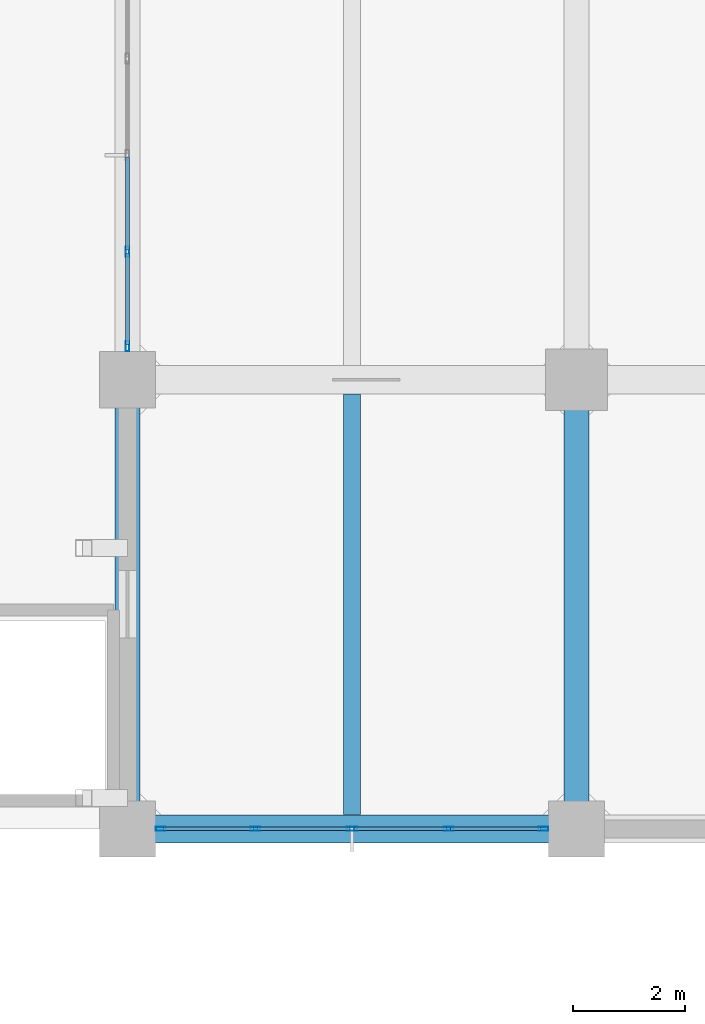
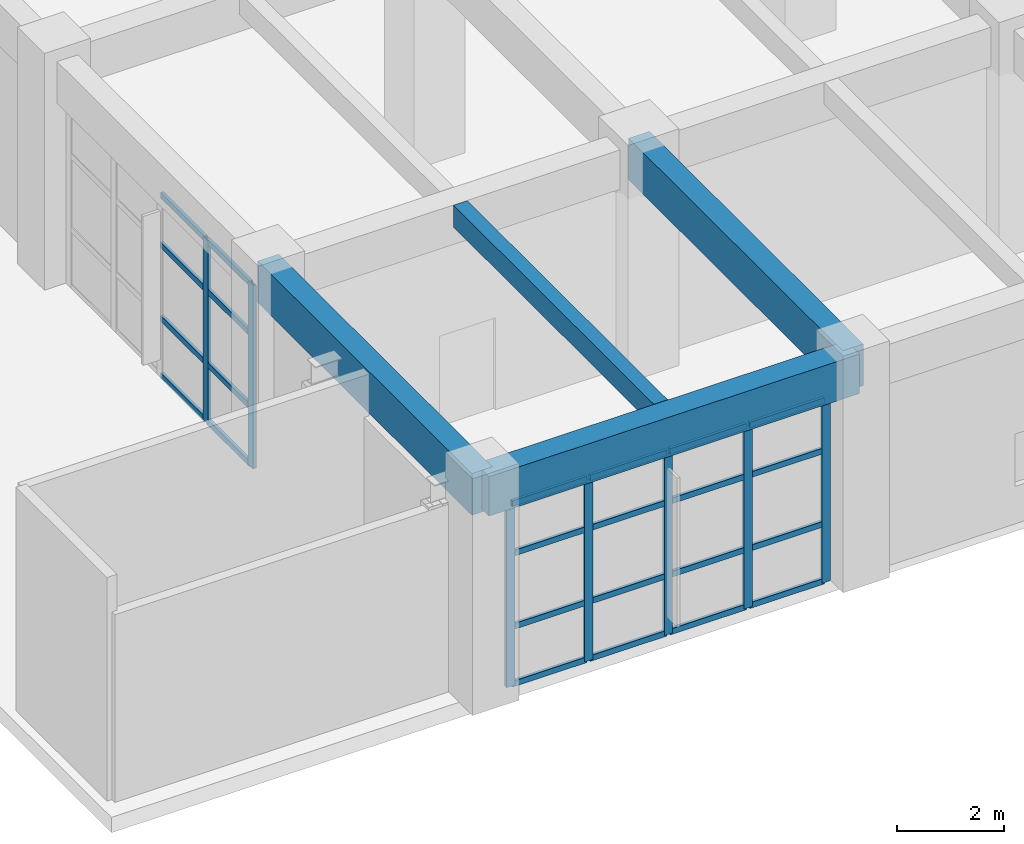
# One storey, part 37 of 90: 31 members, 4 beams, 2 elements without a shape of their own.
"""IFC4 building model written with IfcOpenShell, lengths in metres."""

from ifc_helpers import new_model, si_unit, direction, frame, origin, origin_2d, place, context, subcontext, project, spatial, rectangle, hollow_rectangle, extrude, material, layer, layer_set, material_profile, profile_set, type_object, element, aggregate, save


model = new_model("IFC4")

# Units and contexts
model_context = context("Model", 3, precision=1e-05, world=origin(), true_north=direction((0.0, 1.0)))
body_context = subcontext(model_context, "Body", "Model", "MODEL_VIEW")
ifc_project = project(units=[si_unit("LENGTHUNIT", "METRE"), si_unit("AREAUNIT", "SQUARE_METRE"), si_unit("VOLUMEUNIT", "CUBIC_METRE"), si_unit("PLANEANGLEUNIT", "RADIAN"), si_unit("MASSUNIT", "GRAM", prefix="KILO")], contexts=[model_context])

# Site, building, storey
site_placement = place(None, origin())
site = spatial("IfcSite", under=ifc_project, at=site_placement, CompositionType="ELEMENT")
building_placement = place(site_placement, origin())
building = spatial("IfcBuilding", under=site, at=building_placement, Name="Canggui Botanical Conservatory", CompositionType="ELEMENT")
storey_placement = place(building_placement, origin())
storey = spatial("IfcBuildingStorey", under=building, at=storey_placement, Name="L01", CompositionType="ELEMENT", Elevation=0.0)

# Beams
ifc_material_1 = material(Name="Concrete C35", Category="concrete")
ifc_material_profile_1 = material_profile(ifc_material_1, rectangle(XDim=0.300048828125, YDim=0.5, at=origin_2d()), Name="RB 300x500")
ifc_profile_set_1 = profile_set([ifc_material_profile_1], Name="Concrete C35")
beam_type_1 = type_object("IfcBeamType", Name="BM-JST02", PredefinedType="JOIST", material=ifc_profile_set_1)
beam_1_placement = place(storey_placement, frame((134.0, 26.2548828125, 4.8701171875), z_axis=(0.0, 1.0, 0.0), x_axis=(-1.0, 0.0, 0.0)))
element("IfcBeam", 1, at=beam_1_placement, inside=storey, type_object=beam_type_1, Name="Secondary Floor Joist L01-1-1", PredefinedType="JOIST", context=body_context, shape_type="SweptSolid", body=[
    extrude(rectangle(XDim=0.300048828125, YDim=0.5, at=origin_2d()), origin(), (0.0, 0.0, 1.0), 7.490234375),
])
ifc_material_profile_2 = material_profile(ifc_material_1, rectangle(XDim=0.5, YDim=0.89990234375, at=origin_2d()), Name="RB 500x900")
ifc_profile_set_2 = profile_set([ifc_material_profile_2], Name="Concrete C35")
beam_type_2 = type_object("IfcBeamType", Name="BM-KL03", PredefinedType="BEAM", material=ifc_profile_set_2)
beam_2_placement = place(storey_placement, frame((130.0, 26.0, 4.669921875), z_axis=(1.0, 0.0, 0.0), x_axis=(0.0, 1.0, 0.0)))
element("IfcBeam", 2, at=beam_2_placement, inside=storey, type_object=beam_type_2, Name="Frame Girder L01 Y26-1", PredefinedType="BEAM", context=body_context, shape_type="SweptSolid", body=[
    extrude(rectangle(XDim=0.5, YDim=0.89990234375, at=origin_2d()), origin(), (0.0, 0.0, 1.0), 8.0),
])
ifc_material_profile_3 = material_profile(ifc_material_1, rectangle(XDim=0.449951171875, YDim=0.949951171875, at=origin_2d()), Name="RB 450x950")
ifc_profile_set_3 = profile_set([ifc_material_profile_3], Name="Concrete C35")
beam_type_3 = type_object("IfcBeamType", Name="BM-KL04", PredefinedType="BEAM", material=ifc_profile_set_3)
for number, where, z_axis, x_axis, name in (
    (3, (130.0, 26.0, 4.64501953125), (0.0, 1.0, 0.0), (-1.0, 0.0, 0.0), "Frame Girder L01 X130-1"),
    (4, (138.0, 26.0, 4.64501953125), (0.0, 1.0, 0.0), (-1.0, 0.0, 0.0), "Frame Girder L01 X138-1"),
):
    element("IfcBeam", number, at=place(storey_placement, frame(where, z_axis=z_axis, x_axis=x_axis)), inside=storey, type_object=beam_type_3, Name=name, PredefinedType="BEAM", context=body_context, shape_type="SweptSolid", body=[
        extrude(rectangle(XDim=0.449951171875, YDim=0.949951171875, at=origin_2d()), origin(), (0.0, 0.0, 1.0), 8.0),
    ])

# Curtain wall, members
ifc_material_2 = material(Name="Thermally Broken Aluminium", Category="aluminium")
ifc_layer = layer(ifc_material_2, 0.179931640625, Name="Thermally Broken Aluminium", Category="aluminium")
ifc_layer_set = layer_set([ifc_layer], Name="Thermally Broken Aluminium")
curtain_wall_type = type_object("IfcCurtainWallType", Name="CW-UNIT-A", PredefinedType="USERDEFINED", material=ifc_layer_set)
curtain_wall_1_placement = place(storey_placement, origin())
curtain_wall_1 = element("IfcCurtainWall", 5, at=curtain_wall_1_placement, inside=storey, type_object=curtain_wall_type, Name="Facade Curtain Wall CW-TWR-L01-03", ObjectType="UNITISED CURTAIN WALL", PredefinedType="USERDEFINED")
ifc_material_profile_4 = material_profile(ifc_material_2, hollow_rectangle(XDim=0.070068359375, YDim=0.179931640625, WallThickness=0.00390625, at=origin_2d()), Name="CWM 70x180x4")
ifc_profile_set_4 = profile_set([ifc_material_profile_4], Name="Thermally Broken Aluminium")
member_type_1 = type_object("IfcMemberType", Name="CWM-01", PredefinedType="MULLION", material=ifc_profile_set_4)
member_1_placement = place(storey_placement, frame((137.405029296875, 26.0, 0.0), z_axis=(0.0, 0.0, 1.0), x_axis=(0.0, -1.0, 0.0)))
member_1 = element("IfcMember", 6, at=member_1_placement, type_object=member_type_1, Name="CW-01 mullion 1", PredefinedType="MULLION", context=body_context, shape_type="SweptSolid", body=[
    extrude(hollow_rectangle(XDim=0.070068359375, YDim=0.179931640625, WallThickness=0.00390625, at=origin_2d()), origin(), (0.0, 0.0, 1.0), 4.179931640625),
])
member_2_placement = place(storey_placement, frame((135.719970703125, 26.0, 0.0), z_axis=(0.0, 0.0, 1.0), x_axis=(0.0, -1.0, 0.0)))
member_2 = element("IfcMember", 7, at=member_2_placement, type_object=member_type_1, Name="CW-01 mullion 2", PredefinedType="MULLION", context=body_context, shape_type="SweptSolid", body=[
    extrude(hollow_rectangle(XDim=0.070068359375, YDim=0.179931640625, WallThickness=0.00390625, at=origin_2d()), origin(), (0.0, 0.0, 1.0), 4.179931640625),
])
member_3_placement = place(storey_placement, frame((134.0, 26.0, 0.0), z_axis=(0.0, 0.0, 1.0), x_axis=(0.0, -1.0, 0.0)))
member_3 = element("IfcMember", 8, at=member_3_placement, type_object=member_type_1, Name="CW-01 mullion 3", PredefinedType="MULLION", context=body_context, shape_type="SweptSolid", body=[
    extrude(hollow_rectangle(XDim=0.070068359375, YDim=0.179931640625, WallThickness=0.00390625, at=origin_2d()), origin(), (0.0, 0.0, 1.0), 4.179931640625),
])
member_4_placement = place(storey_placement, frame((132.280029296875, 26.0, 0.0), z_axis=(0.0, 0.0, 1.0), x_axis=(0.0, -1.0, 0.0)))
member_4 = element("IfcMember", 9, at=member_4_placement, type_object=member_type_1, Name="CW-01 mullion 4", PredefinedType="MULLION", context=body_context, shape_type="SweptSolid", body=[
    extrude(hollow_rectangle(XDim=0.070068359375, YDim=0.179931640625, WallThickness=0.00390625, at=origin_2d()), origin(), (0.0, 0.0, 1.0), 4.179931640625),
])
member_5_placement = place(storey_placement, frame((130.594970703125, 26.0, 0.0), z_axis=(0.0, 0.0, 1.0), x_axis=(0.0, -1.0, 0.0)))
member_5 = element("IfcMember", 10, at=member_5_placement, type_object=member_type_1, Name="CW-01 mullion 5", PredefinedType="MULLION", context=body_context, shape_type="SweptSolid", body=[
    extrude(hollow_rectangle(XDim=0.070068359375, YDim=0.179931640625, WallThickness=0.00390625, at=origin_2d()), origin(), (0.0, 0.0, 1.0), 4.179931640625),
])

curtain_wall_2_placement = place(storey_placement, origin())
curtain_wall_2 = element("IfcCurtainWall", 11, at=curtain_wall_2_placement, inside=storey, type_object=curtain_wall_type, Name="Facade Curtain Wall CW-TWR-L01-05", ObjectType="UNITISED CURTAIN WALL", PredefinedType="USERDEFINED")
member_6_placement = place(storey_placement, frame((130.0, 34.594970703125, 0.0), z_axis=(0.0, 0.0, 1.0), x_axis=(-1.0, 0.0, 0.0)))
member_6 = element("IfcMember", 12, at=member_6_placement, type_object=member_type_1, Name="CW-01 mullion 1", PredefinedType="MULLION", context=body_context, shape_type="SweptSolid", body=[
    extrude(hollow_rectangle(XDim=0.070068359375, YDim=0.179931640625, WallThickness=0.00390625, at=origin_2d()), origin(), (0.0, 0.0, 1.0), 4.179931640625),
])
member_7_placement = place(storey_placement, frame((130.0, 36.280029296875, 0.0), z_axis=(0.0, 0.0, 1.0), x_axis=(-1.0, 0.0, 0.0)))
member_7 = element("IfcMember", 13, at=member_7_placement, type_object=member_type_1, Name="CW-01 mullion 2", PredefinedType="MULLION", context=body_context, shape_type="SweptSolid", body=[
    extrude(hollow_rectangle(XDim=0.070068359375, YDim=0.179931640625, WallThickness=0.00390625, at=origin_2d()), origin(), (0.0, 0.0, 1.0), 4.179931640625),
])

# Member
ifc_material_profile_5 = material_profile(ifc_material_2, hollow_rectangle(XDim=0.06494140625, YDim=0.1298828125, WallThickness=0.00341796875, at=origin_2d()), Name="CWT 65x130x3.5")
ifc_profile_set_5 = profile_set([ifc_material_profile_5], Name="Thermally Broken Aluminium")
member_type_2 = type_object("IfcMemberType", Name="CWT-01", PredefinedType="USERDEFINED", material=ifc_profile_set_5)
member_8_placement = place(storey_placement, frame((137.3701171875, 26.0, 0.032470703125), z_axis=(-1.0, 0.0, 0.0), x_axis=(0.0, -1.0, 0.0)))
member_8 = element("IfcMember", 14, at=member_8_placement, type_object=member_type_2, Name="CW-01 transom 1.1", ObjectType="TRANSOM", PredefinedType="USERDEFINED", context=body_context, shape_type="SweptSolid", body=[
    extrude(hollow_rectangle(XDim=0.06494140625, YDim=0.1298828125, WallThickness=0.00341796875, at=origin_2d()), origin(), (0.0, 0.0, 1.0), 1.615234375),
])

member_9_placement = place(storey_placement, frame((137.3701171875, 26.0, 1.337646484375), z_axis=(-1.0, 0.0, 0.0), x_axis=(0.0, -1.0, 0.0)))
member_9 = element("IfcMember", 15, at=member_9_placement, type_object=member_type_2, Name="CW-01 transom 1.2", ObjectType="TRANSOM", PredefinedType="USERDEFINED", context=body_context, shape_type="SweptSolid", body=[
    extrude(hollow_rectangle(XDim=0.06494140625, YDim=0.1298828125, WallThickness=0.00341796875, at=origin_2d()), origin(), (0.0, 0.0, 1.0), 1.615234375),
])

member_10_placement = place(storey_placement, frame((137.3701171875, 26.0, 3.009521484375), z_axis=(-1.0, 0.0, 0.0), x_axis=(0.0, -1.0, 0.0)))
member_10 = element("IfcMember", 16, at=member_10_placement, type_object=member_type_2, Name="CW-01 transom 1.3", ObjectType="TRANSOM", PredefinedType="USERDEFINED", context=body_context, shape_type="SweptSolid", body=[
    extrude(hollow_rectangle(XDim=0.06494140625, YDim=0.1298828125, WallThickness=0.00341796875, at=origin_2d()), origin(), (0.0, 0.0, 1.0), 1.615234375),
])

member_11_placement = place(storey_placement, frame((137.3701171875, 26.0, 4.1474609375), z_axis=(-1.0, 0.0, 0.0), x_axis=(0.0, -1.0, 0.0)))
member_11 = element("IfcMember", 17, at=member_11_placement, type_object=member_type_2, Name="CW-01 transom 1.4", ObjectType="TRANSOM", PredefinedType="USERDEFINED", context=body_context, shape_type="SweptSolid", body=[
    extrude(hollow_rectangle(XDim=0.06494140625, YDim=0.1298828125, WallThickness=0.00341796875, at=origin_2d()), origin(), (0.0, 0.0, 1.0), 1.615234375),
])

member_12_placement = place(storey_placement, frame((135.68505859375, 26.0, 0.032470703125), z_axis=(-1.0, 0.0, 0.0), x_axis=(0.0, -1.0, 0.0)))
member_12 = element("IfcMember", 18, at=member_12_placement, type_object=member_type_2, Name="CW-01 transom 2.1", ObjectType="TRANSOM", PredefinedType="USERDEFINED", context=body_context, shape_type="SweptSolid", body=[
    extrude(hollow_rectangle(XDim=0.06494140625, YDim=0.1298828125, WallThickness=0.00341796875, at=origin_2d()), origin(), (0.0, 0.0, 1.0), 1.650146484375),
])

member_13_placement = place(storey_placement, frame((135.68505859375, 26.0, 1.337646484375), z_axis=(-1.0, 0.0, 0.0), x_axis=(0.0, -1.0, 0.0)))
member_13 = element("IfcMember", 19, at=member_13_placement, type_object=member_type_2, Name="CW-01 transom 2.2", ObjectType="TRANSOM", PredefinedType="USERDEFINED", context=body_context, shape_type="SweptSolid", body=[
    extrude(hollow_rectangle(XDim=0.06494140625, YDim=0.1298828125, WallThickness=0.00341796875, at=origin_2d()), origin(), (0.0, 0.0, 1.0), 1.650146484375),
])

member_14_placement = place(storey_placement, frame((135.68505859375, 26.0, 3.009521484375), z_axis=(-1.0, 0.0, 0.0), x_axis=(0.0, -1.0, 0.0)))
member_14 = element("IfcMember", 20, at=member_14_placement, type_object=member_type_2, Name="CW-01 transom 2.3", ObjectType="TRANSOM", PredefinedType="USERDEFINED", context=body_context, shape_type="SweptSolid", body=[
    extrude(hollow_rectangle(XDim=0.06494140625, YDim=0.1298828125, WallThickness=0.00341796875, at=origin_2d()), origin(), (0.0, 0.0, 1.0), 1.650146484375),
])

member_15_placement = place(storey_placement, frame((135.68505859375, 26.0, 4.1474609375), z_axis=(-1.0, 0.0, 0.0), x_axis=(0.0, -1.0, 0.0)))
member_15 = element("IfcMember", 21, at=member_15_placement, type_object=member_type_2, Name="CW-01 transom 2.4", ObjectType="TRANSOM", PredefinedType="USERDEFINED", context=body_context, shape_type="SweptSolid", body=[
    extrude(hollow_rectangle(XDim=0.06494140625, YDim=0.1298828125, WallThickness=0.00341796875, at=origin_2d()), origin(), (0.0, 0.0, 1.0), 1.650146484375),
])

member_16_placement = place(storey_placement, frame((133.965087890625, 26.0, 0.032470703125), z_axis=(-1.0, 0.0, 0.0), x_axis=(0.0, -1.0, 0.0)))
member_16 = element("IfcMember", 22, at=member_16_placement, type_object=member_type_2, Name="CW-01 transom 3.1", ObjectType="TRANSOM", PredefinedType="USERDEFINED", context=body_context, shape_type="SweptSolid", body=[
    extrude(hollow_rectangle(XDim=0.06494140625, YDim=0.1298828125, WallThickness=0.00341796875, at=origin_2d()), origin(), (0.0, 0.0, 1.0), 1.650146484375),
])

member_17_placement = place(storey_placement, frame((133.965087890625, 26.0, 1.337646484375), z_axis=(-1.0, 0.0, 0.0), x_axis=(0.0, -1.0, 0.0)))
member_17 = element("IfcMember", 23, at=member_17_placement, type_object=member_type_2, Name="CW-01 transom 3.2", ObjectType="TRANSOM", PredefinedType="USERDEFINED", context=body_context, shape_type="SweptSolid", body=[
    extrude(hollow_rectangle(XDim=0.06494140625, YDim=0.1298828125, WallThickness=0.00341796875, at=origin_2d()), origin(), (0.0, 0.0, 1.0), 1.650146484375),
])

member_18_placement = place(storey_placement, frame((133.965087890625, 26.0, 3.009521484375), z_axis=(-1.0, 0.0, 0.0), x_axis=(0.0, -1.0, 0.0)))
member_18 = element("IfcMember", 24, at=member_18_placement, type_object=member_type_2, Name="CW-01 transom 3.3", ObjectType="TRANSOM", PredefinedType="USERDEFINED", context=body_context, shape_type="SweptSolid", body=[
    extrude(hollow_rectangle(XDim=0.06494140625, YDim=0.1298828125, WallThickness=0.00341796875, at=origin_2d()), origin(), (0.0, 0.0, 1.0), 1.650146484375),
])

member_19_placement = place(storey_placement, frame((133.965087890625, 26.0, 4.1474609375), z_axis=(-1.0, 0.0, 0.0), x_axis=(0.0, -1.0, 0.0)))
member_19 = element("IfcMember", 25, at=member_19_placement, type_object=member_type_2, Name="CW-01 transom 3.4", ObjectType="TRANSOM", PredefinedType="USERDEFINED", context=body_context, shape_type="SweptSolid", body=[
    extrude(hollow_rectangle(XDim=0.06494140625, YDim=0.1298828125, WallThickness=0.00341796875, at=origin_2d()), origin(), (0.0, 0.0, 1.0), 1.650146484375),
])

member_20_placement = place(storey_placement, frame((132.2451171875, 26.0, 0.032470703125), z_axis=(-1.0, 0.0, 0.0), x_axis=(0.0, -1.0, 0.0)))
member_20 = element("IfcMember", 26, at=member_20_placement, type_object=member_type_2, Name="CW-01 transom 4.1", ObjectType="TRANSOM", PredefinedType="USERDEFINED", context=body_context, shape_type="SweptSolid", body=[
    extrude(hollow_rectangle(XDim=0.06494140625, YDim=0.1298828125, WallThickness=0.00341796875, at=origin_2d()), origin(), (0.0, 0.0, 1.0), 1.615234375),
])

member_21_placement = place(storey_placement, frame((132.2451171875, 26.0, 1.337646484375), z_axis=(-1.0, 0.0, 0.0), x_axis=(0.0, -1.0, 0.0)))
member_21 = element("IfcMember", 27, at=member_21_placement, type_object=member_type_2, Name="CW-01 transom 4.2", ObjectType="TRANSOM", PredefinedType="USERDEFINED", context=body_context, shape_type="SweptSolid", body=[
    extrude(hollow_rectangle(XDim=0.06494140625, YDim=0.1298828125, WallThickness=0.00341796875, at=origin_2d()), origin(), (0.0, 0.0, 1.0), 1.615234375),
])

member_22_placement = place(storey_placement, frame((132.2451171875, 26.0, 3.009521484375), z_axis=(-1.0, 0.0, 0.0), x_axis=(0.0, -1.0, 0.0)))
member_22 = element("IfcMember", 28, at=member_22_placement, type_object=member_type_2, Name="CW-01 transom 4.3", ObjectType="TRANSOM", PredefinedType="USERDEFINED", context=body_context, shape_type="SweptSolid", body=[
    extrude(hollow_rectangle(XDim=0.06494140625, YDim=0.1298828125, WallThickness=0.00341796875, at=origin_2d()), origin(), (0.0, 0.0, 1.0), 1.615234375),
])

member_23_placement = place(storey_placement, frame((132.2451171875, 26.0, 4.1474609375), z_axis=(-1.0, 0.0, 0.0), x_axis=(0.0, -1.0, 0.0)))
member_23 = element("IfcMember", 29, at=member_23_placement, type_object=member_type_2, Name="CW-01 transom 4.4", ObjectType="TRANSOM", PredefinedType="USERDEFINED", context=body_context, shape_type="SweptSolid", body=[
    extrude(hollow_rectangle(XDim=0.06494140625, YDim=0.1298828125, WallThickness=0.00341796875, at=origin_2d()), origin(), (0.0, 0.0, 1.0), 1.615234375),
])

aggregate(curtain_wall_1, [member_1, member_2, member_3, member_4, member_5, member_8, member_9, member_10, member_11, member_12, member_13, member_14, member_15, member_16, member_17, member_18, member_19, member_20, member_21, member_22, member_23])

member_24_placement = place(storey_placement, frame((130.0, 34.6298828125, 0.032470703125), z_axis=(0.0, 1.0, 0.0), x_axis=(-1.0, 0.0, 0.0)))
member_24 = element("IfcMember", 30, at=member_24_placement, type_object=member_type_2, Name="CW-01 transom 1.1", ObjectType="TRANSOM", PredefinedType="USERDEFINED", context=body_context, shape_type="SweptSolid", body=[
    extrude(hollow_rectangle(XDim=0.06494140625, YDim=0.1298828125, WallThickness=0.00341796875, at=origin_2d()), origin(), (0.0, 0.0, 1.0), 1.615234375),
])

member_25_placement = place(storey_placement, frame((130.0, 34.6298828125, 1.337646484375), z_axis=(0.0, 1.0, 0.0), x_axis=(-1.0, 0.0, 0.0)))
member_25 = element("IfcMember", 31, at=member_25_placement, type_object=member_type_2, Name="CW-01 transom 1.2", ObjectType="TRANSOM", PredefinedType="USERDEFINED", context=body_context, shape_type="SweptSolid", body=[
    extrude(hollow_rectangle(XDim=0.06494140625, YDim=0.1298828125, WallThickness=0.00341796875, at=origin_2d()), origin(), (0.0, 0.0, 1.0), 1.615234375),
])

member_26_placement = place(storey_placement, frame((130.0, 34.6298828125, 3.009521484375), z_axis=(0.0, 1.0, 0.0), x_axis=(-1.0, 0.0, 0.0)))
member_26 = element("IfcMember", 32, at=member_26_placement, type_object=member_type_2, Name="CW-01 transom 1.3", ObjectType="TRANSOM", PredefinedType="USERDEFINED", context=body_context, shape_type="SweptSolid", body=[
    extrude(hollow_rectangle(XDim=0.06494140625, YDim=0.1298828125, WallThickness=0.00341796875, at=origin_2d()), origin(), (0.0, 0.0, 1.0), 1.615234375),
])

member_27_placement = place(storey_placement, frame((130.0, 34.6298828125, 4.1474609375), z_axis=(0.0, 1.0, 0.0), x_axis=(-1.0, 0.0, 0.0)))
member_27 = element("IfcMember", 33, at=member_27_placement, type_object=member_type_2, Name="CW-01 transom 1.4", ObjectType="TRANSOM", PredefinedType="USERDEFINED", context=body_context, shape_type="SweptSolid", body=[
    extrude(hollow_rectangle(XDim=0.06494140625, YDim=0.1298828125, WallThickness=0.00341796875, at=origin_2d()), origin(), (0.0, 0.0, 1.0), 1.615234375),
])

member_28_placement = place(storey_placement, frame((130.0, 36.31494140625, 0.032470703125), z_axis=(0.0, 1.0, 0.0), x_axis=(-1.0, 0.0, 0.0)))
member_28 = element("IfcMember", 34, at=member_28_placement, type_object=member_type_2, Name="CW-01 transom 2.1", ObjectType="TRANSOM", PredefinedType="USERDEFINED", context=body_context, shape_type="SweptSolid", body=[
    extrude(hollow_rectangle(XDim=0.06494140625, YDim=0.1298828125, WallThickness=0.00341796875, at=origin_2d()), origin(), (0.0, 0.0, 1.0), 1.650146484375),
])

member_29_placement = place(storey_placement, frame((130.0, 36.31494140625, 1.337646484375), z_axis=(0.0, 1.0, 0.0), x_axis=(-1.0, 0.0, 0.0)))
member_29 = element("IfcMember", 35, at=member_29_placement, type_object=member_type_2, Name="CW-01 transom 2.2", ObjectType="TRANSOM", PredefinedType="USERDEFINED", context=body_context, shape_type="SweptSolid", body=[
    extrude(hollow_rectangle(XDim=0.06494140625, YDim=0.1298828125, WallThickness=0.00341796875, at=origin_2d()), origin(), (0.0, 0.0, 1.0), 1.650146484375),
])

member_30_placement = place(storey_placement, frame((130.0, 36.31494140625, 3.009521484375), z_axis=(0.0, 1.0, 0.0), x_axis=(-1.0, 0.0, 0.0)))
member_30 = element("IfcMember", 36, at=member_30_placement, type_object=member_type_2, Name="CW-01 transom 2.3", ObjectType="TRANSOM", PredefinedType="USERDEFINED", context=body_context, shape_type="SweptSolid", body=[
    extrude(hollow_rectangle(XDim=0.06494140625, YDim=0.1298828125, WallThickness=0.00341796875, at=origin_2d()), origin(), (0.0, 0.0, 1.0), 1.650146484375),
])

member_31_placement = place(storey_placement, frame((130.0, 36.31494140625, 4.1474609375), z_axis=(0.0, 1.0, 0.0), x_axis=(-1.0, 0.0, 0.0)))
member_31 = element("IfcMember", 37, at=member_31_placement, type_object=member_type_2, Name="CW-01 transom 2.4", ObjectType="TRANSOM", PredefinedType="USERDEFINED", context=body_context, shape_type="SweptSolid", body=[
    extrude(hollow_rectangle(XDim=0.06494140625, YDim=0.1298828125, WallThickness=0.00341796875, at=origin_2d()), origin(), (0.0, 0.0, 1.0), 1.650146484375),
])

aggregate(curtain_wall_2, [member_6, member_7, member_24, member_25, member_26, member_27, member_28, member_29, member_30, member_31])

save(model, "model.ifc")
